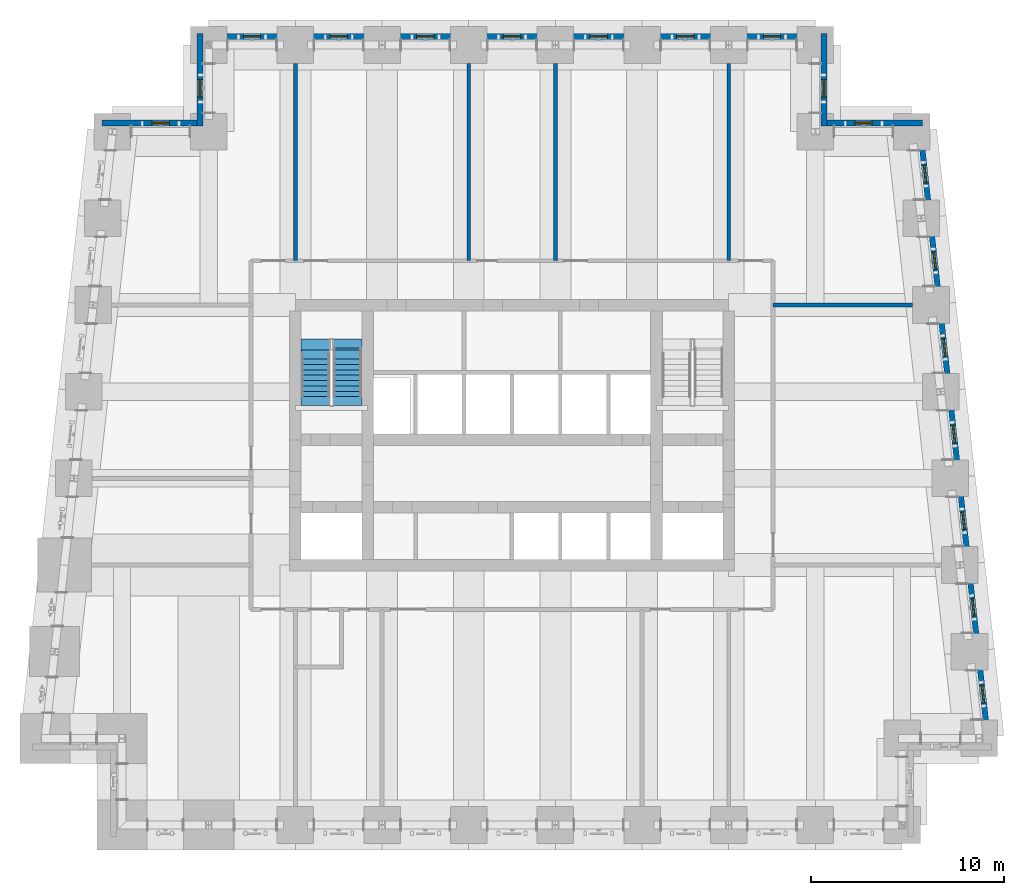
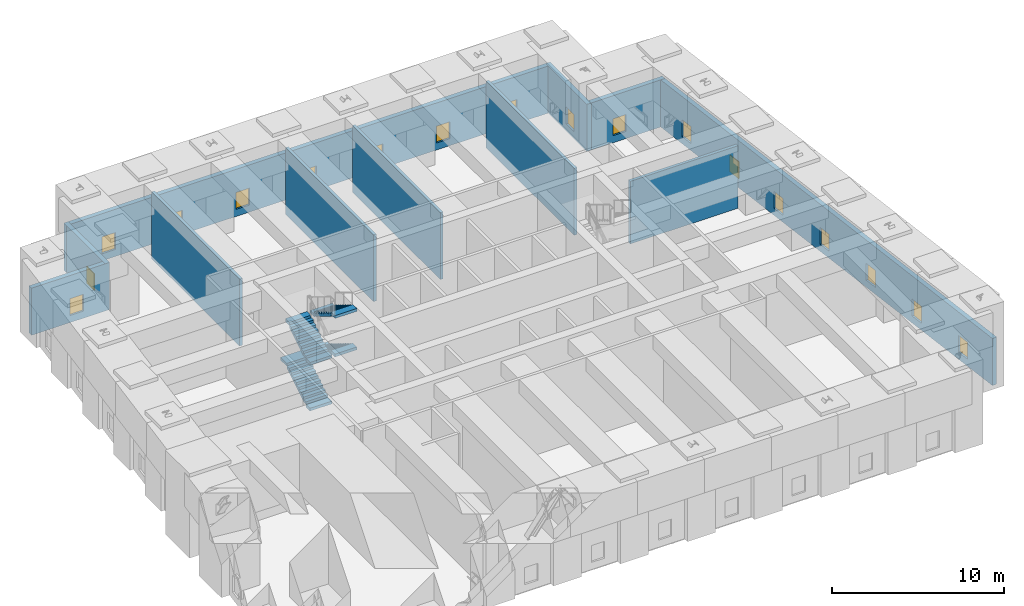
# One storey, part 5 of 17: 18 windows, 11 walls, 4 stair flights, 18 openings, 1 element without a shape of its own.
"""IFC4 building model written with IfcOpenShell, lengths in metres."""

from ifc_helpers import new_model, si_unit, direction, frame, frame_2d, origin, place, context, subcontext, project, spatial, polyline, rectangle, outline, extrude, material, layer, layer_set, type_object, element, fill, aggregate, save


model = new_model("IFC4")

# Units and contexts
model_context = context("Model", 3, precision=1e-05, world=origin(), true_north=direction((0.0, 1.0)))
body_context = subcontext(model_context, "Body", "Model", "MODEL_VIEW")
ifc_project = project(units=[si_unit("LENGTHUNIT", "METRE"), si_unit("AREAUNIT", "SQUARE_METRE"), si_unit("VOLUMEUNIT", "CUBIC_METRE"), si_unit("PLANEANGLEUNIT", "RADIAN"), si_unit("MASSUNIT", "GRAM", prefix="KILO")], contexts=[model_context])

# Site, building, storey
site_placement = place(None, origin())
site = spatial("IfcSite", under=ifc_project, at=site_placement, CompositionType="ELEMENT")
building_placement = place(site_placement, origin())
building = spatial("IfcBuilding", under=site, at=building_placement, Name="Kilele Tower Hotel", CompositionType="ELEMENT")
storey_placement = place(building_placement, frame((0.0, 0.0, 151.89990234375)))
storey = spatial("IfcBuildingStorey", under=building, at=storey_placement, Name="L39", CompositionType="ELEMENT", Elevation=151.89990234375)

# Walls
ifc_material_1 = material(Name="Blockwork, plastered both sides", Category="masonry")
ifc_layer_1 = layer(ifc_material_1, 0.199951171875)
ifc_layer_set_1 = layer_set([ifc_layer_1], Name="Blockwork, plastered both sides")
wall_type_1 = type_object("IfcWallType", Name="Partition wall 200", PredefinedType="PARTITIONING", material=ifc_layer_set_1)
wall_1_placement = place(storey_placement, frame((38.300048828125, 27.0, 0.0), z_axis=(0.0, 0.0, 1.0), x_axis=(1.0, 0.0, 0.0)))
element("IfcWall", 1, at=wall_1_placement, inside=storey, type_object=wall_type_1, Name="Partition wall 200 L39", PredefinedType="PARTITIONING", context=body_context, shape_type="SweptSolid", body=[
    extrude(rectangle(XDim=7.239013671875, YDim=0.199951171875, at=frame_2d((3.61962890625, 0.0))), origin(), (0.0, 0.0, 1.0), 4.4501953125),
])
for number, where, z_axis, x_axis, name in (
    (2, (13.5, 29.300048828125, 0.0), (0.0, 0.0, 1.0), (0.0, 1.0, 0.0), "Partition wall 200 L39"),
    (3, (22.5, 29.300048828125, 0.0), (0.0, 0.0, 1.0), (0.0, 1.0, 0.0), "Partition wall 200 L39"),
    (4, (27.0, 29.300048828125, 0.0), (0.0, 0.0, 1.0), (0.0, 1.0, 0.0), "Partition wall 200 L39"),
    (5, (36.0, 29.300048828125, 0.0), (0.0, 0.0, 1.0), (0.0, 1.0, 0.0), "Partition wall 200 L39"),
):
    element("IfcWall", number, at=place(storey_placement, frame(where, z_axis=z_axis, x_axis=x_axis)), inside=storey, type_object=wall_type_1, Name=name, PredefinedType="PARTITIONING", context=body_context, shape_type="SweptSolid", body=[
        extrude(rectangle(XDim=10.25, YDim=0.199951171875, at=frame_2d((5.125, 0.0))), origin(), (0.0, 0.0, 1.0), 4.75),
    ])

# Wall, openings, windows
ifc_material_2 = material(Name="Concrete C40/50 precast", Category="concrete")
ifc_layer_2 = layer(ifc_material_2, 0.260009765625, Name="Precast backing", Category="LoadBearing")
ifc_material_3 = material(Name="Reconstituted stone finish", Category="masonry")
ifc_layer_3 = layer(ifc_material_3, 0.0400390625, Name="Face mix", Category="Finish")
ifc_layer_set_2 = layer_set([ifc_layer_2, ifc_layer_3], Name="Precast concrete C40/50, reconstituted stone finish")
wall_type_2 = type_object("IfcWallType", Name="Precast stone facade wall 300", PredefinedType="STANDARD", material=ifc_layer_set_2)
wall_2_placement = place(storey_placement, frame((49.519287109375, 3.90087890625, 0.0), z_axis=(0.0, 0.0, 1.0), x_axis=(-0.110429082637, 0.993884006164, 0.0)))
wall_2 = element("IfcWall", 6, at=wall_2_placement, inside=storey, type_object=wall_type_2, Name="Facade wall L39 edge 6", PredefinedType="STANDARD", context=body_context, shape_type="SweptSolid", body=[
    extrude(rectangle(XDim=32.8994140625, YDim=0.300048828125, at=frame_2d((16.44970703125, 0.0))), origin(), (0.0, 0.0, 1.0), 3.35009765625),
])
opening_1_placement = place(wall_2_placement, frame((2.466796875, 0.0, 0.5)))
opening_1 = element("IfcOpeningElement", 7, at=opening_1_placement, cuts=wall_2, Name="Opening LV1", PredefinedType="OPENING", context=body_context, shape_type="SweptSolid", body=[
    extrude(rectangle(XDim=0.89990234375, YDim=1.199951171875, at=frame_2d((0.449951171875, 0.60009765625))), frame((0.0, 0.159912109375, 0.0), z_axis=(0.0, -1.0, 0.0), x_axis=(1.0, 0.0, 0.0)), (0.0, 0.0, 1.0), 0.320068359375),
])
opening_2_placement = place(wall_2_placement, frame((6.994873046875, 0.0, 0.5)))
opening_2 = element("IfcOpeningElement", 8, at=opening_2_placement, cuts=wall_2, Name="Opening LV1", PredefinedType="OPENING", context=body_context, shape_type="SweptSolid", body=[
    extrude(rectangle(XDim=0.89990234375, YDim=1.199951171875, at=frame_2d((0.449951171875, 0.60009765625))), frame((0.0, 0.159912109375, 0.0), z_axis=(0.0, -1.0, 0.0), x_axis=(1.0, 0.0, 0.0)), (0.0, 0.0, 1.0), 0.320068359375),
])
opening_3_placement = place(wall_2_placement, frame((11.521728515625, 0.0, 0.5)))
opening_3 = element("IfcOpeningElement", 9, at=opening_3_placement, cuts=wall_2, Name="Opening LV1", PredefinedType="OPENING", context=body_context, shape_type="SweptSolid", body=[
    extrude(rectangle(XDim=0.89990234375, YDim=1.199951171875, at=frame_2d((0.449951171875, 0.60009765625))), frame((0.0, 0.159912109375, 0.0), z_axis=(0.0, -1.0, 0.0), x_axis=(1.0, 0.0, 0.0)), (0.0, 0.0, 1.0), 0.320068359375),
])
opening_4_placement = place(wall_2_placement, frame((16.0498046875, 0.0, 0.5)))
opening_4 = element("IfcOpeningElement", 10, at=opening_4_placement, cuts=wall_2, Name="Opening LV1", PredefinedType="OPENING", context=body_context, shape_type="SweptSolid", body=[
    extrude(rectangle(XDim=0.89990234375, YDim=1.199951171875, at=frame_2d((0.449951171875, 0.60009765625))), frame((0.0, 0.159912109375, 0.0), z_axis=(0.0, -1.0, 0.0), x_axis=(1.0, 0.0, 0.0)), (0.0, 0.0, 1.0), 0.320068359375),
])
opening_5_placement = place(wall_2_placement, frame((20.577880859375, 0.0, 0.5)))
opening_5 = element("IfcOpeningElement", 11, at=opening_5_placement, cuts=wall_2, Name="Opening LV1", PredefinedType="OPENING", context=body_context, shape_type="SweptSolid", body=[
    extrude(rectangle(XDim=0.89990234375, YDim=1.199951171875, at=frame_2d((0.449951171875, 0.60009765625))), frame((0.0, 0.159912109375, 0.0), z_axis=(0.0, -1.0, 0.0), x_axis=(1.0, 0.0, 0.0)), (0.0, 0.0, 1.0), 0.320068359375),
])
opening_6_placement = place(wall_2_placement, frame((25.104736328125, 0.0, 0.5)))
opening_6 = element("IfcOpeningElement", 12, at=opening_6_placement, cuts=wall_2, Name="Opening LV1", PredefinedType="OPENING", context=body_context, shape_type="SweptSolid", body=[
    extrude(rectangle(XDim=0.89990234375, YDim=1.199951171875, at=frame_2d((0.449951171875, 0.60009765625))), frame((0.0, 0.159912109375, 0.0), z_axis=(0.0, -1.0, 0.0), x_axis=(1.0, 0.0, 0.0)), (0.0, 0.0, 1.0), 0.320068359375),
])
opening_7_placement = place(wall_2_placement, frame((29.6328125, 0.0, 0.5)))
opening_7 = element("IfcOpeningElement", 13, at=opening_7_placement, cuts=wall_2, Name="Opening LV1", PredefinedType="OPENING", context=body_context, shape_type="SweptSolid", body=[
    extrude(rectangle(XDim=0.89990234375, YDim=1.199951171875, at=frame_2d((0.449951171875, 0.60009765625))), frame((0.0, 0.159912109375, 0.0), z_axis=(0.0, -1.0, 0.0), x_axis=(1.0, 0.0, 0.0)), (0.0, 0.0, 1.0), 0.320068359375),
])
ifc_material_4 = material(Name="Aluminium weather louvre with insect mesh", Category="aluminium")
window_type = type_object("IfcWindowType", Name="Ventilation louvre 900 x 1200", PartitioningType="SINGLE_PANEL", PredefinedType="USERDEFINED", material=ifc_material_4)
window_1_placement = place(opening_1_placement, origin())
window_1 = element("IfcWindow", 14, at=window_1_placement, inside=storey, type_object=window_type, Name="Louvre L39", ObjectType="LOUVRE", OverallHeight=1.199951171875, OverallWidth=0.89990234375, PartitioningType="SINGLE_PANEL", PredefinedType="USERDEFINED", context=body_context, shape_type="SweptSolid", body=[
    extrude(rectangle(XDim=0.89990234375, YDim=1.199951171875, at=frame_2d((0.449951171875, 0.60009765625))), frame((0.0, 0.030029296875, 0.0), z_axis=(0.0, -1.0, 0.0), x_axis=(1.0, 0.0, 0.0)), (0.0, 0.0, 1.0), 0.06005859375),
])
fill(opening_1, window_1)
window_2_placement = place(opening_2_placement, origin())
window_2 = element("IfcWindow", 15, at=window_2_placement, inside=storey, type_object=window_type, Name="Louvre L39", ObjectType="LOUVRE", OverallHeight=1.199951171875, OverallWidth=0.89990234375, PartitioningType="SINGLE_PANEL", PredefinedType="USERDEFINED", context=body_context, shape_type="SweptSolid", body=[
    extrude(rectangle(XDim=0.89990234375, YDim=1.199951171875, at=frame_2d((0.449951171875, 0.60009765625))), frame((0.0, 0.030029296875, 0.0), z_axis=(0.0, -1.0, 0.0), x_axis=(1.0, 0.0, 0.0)), (0.0, 0.0, 1.0), 0.06005859375),
])
fill(opening_2, window_2)
window_3_placement = place(opening_3_placement, origin())
window_3 = element("IfcWindow", 16, at=window_3_placement, inside=storey, type_object=window_type, Name="Louvre L39", ObjectType="LOUVRE", OverallHeight=1.199951171875, OverallWidth=0.89990234375, PartitioningType="SINGLE_PANEL", PredefinedType="USERDEFINED", context=body_context, shape_type="SweptSolid", body=[
    extrude(rectangle(XDim=0.89990234375, YDim=1.199951171875, at=frame_2d((0.449951171875, 0.60009765625))), frame((0.0, 0.030029296875, 0.0), z_axis=(0.0, -1.0, 0.0), x_axis=(1.0, 0.0, 0.0)), (0.0, 0.0, 1.0), 0.06005859375),
])
fill(opening_3, window_3)
window_4_placement = place(opening_4_placement, origin())
window_4 = element("IfcWindow", 17, at=window_4_placement, inside=storey, type_object=window_type, Name="Louvre L39", ObjectType="LOUVRE", OverallHeight=1.199951171875, OverallWidth=0.89990234375, PartitioningType="SINGLE_PANEL", PredefinedType="USERDEFINED", context=body_context, shape_type="SweptSolid", body=[
    extrude(rectangle(XDim=0.89990234375, YDim=1.199951171875, at=frame_2d((0.449951171875, 0.60009765625))), frame((0.0, 0.030029296875, 0.0), z_axis=(0.0, -1.0, 0.0), x_axis=(1.0, 0.0, 0.0)), (0.0, 0.0, 1.0), 0.06005859375),
])
fill(opening_4, window_4)
window_5_placement = place(opening_5_placement, origin())
window_5 = element("IfcWindow", 18, at=window_5_placement, inside=storey, type_object=window_type, Name="Louvre L39", ObjectType="LOUVRE", OverallHeight=1.199951171875, OverallWidth=0.89990234375, PartitioningType="SINGLE_PANEL", PredefinedType="USERDEFINED", context=body_context, shape_type="SweptSolid", body=[
    extrude(rectangle(XDim=0.89990234375, YDim=1.199951171875, at=frame_2d((0.449951171875, 0.60009765625))), frame((0.0, 0.030029296875, 0.0), z_axis=(0.0, -1.0, 0.0), x_axis=(1.0, 0.0, 0.0)), (0.0, 0.0, 1.0), 0.06005859375),
])
fill(opening_5, window_5)
window_6_placement = place(opening_6_placement, origin())
window_6 = element("IfcWindow", 19, at=window_6_placement, inside=storey, type_object=window_type, Name="Louvre L39", ObjectType="LOUVRE", OverallHeight=1.199951171875, OverallWidth=0.89990234375, PartitioningType="SINGLE_PANEL", PredefinedType="USERDEFINED", context=body_context, shape_type="SweptSolid", body=[
    extrude(rectangle(XDim=0.89990234375, YDim=1.199951171875, at=frame_2d((0.449951171875, 0.60009765625))), frame((0.0, 0.030029296875, 0.0), z_axis=(0.0, -1.0, 0.0), x_axis=(1.0, 0.0, 0.0)), (0.0, 0.0, 1.0), 0.06005859375),
])
fill(opening_6, window_6)
window_7_placement = place(opening_7_placement, origin())
window_7 = element("IfcWindow", 20, at=window_7_placement, inside=storey, type_object=window_type, Name="Louvre L39", ObjectType="LOUVRE", OverallHeight=1.199951171875, OverallWidth=0.89990234375, PartitioningType="SINGLE_PANEL", PredefinedType="USERDEFINED", context=body_context, shape_type="SweptSolid", body=[
    extrude(rectangle(XDim=0.89990234375, YDim=1.199951171875, at=frame_2d((0.449951171875, 0.60009765625))), frame((0.0, 0.030029296875, 0.0), z_axis=(0.0, -1.0, 0.0), x_axis=(1.0, 0.0, 0.0)), (0.0, 0.0, 1.0), 0.06005859375),
])
fill(opening_7, window_7)

# Wall, opening, window
wall_3_placement = place(storey_placement, frame((46.052734375, 36.449951171875, 0.0), z_axis=(0.0, 0.0, 1.0), x_axis=(-1.0, 0.0, 0.0)))
wall_3 = element("IfcWall", 21, at=wall_3_placement, inside=storey, type_object=wall_type_2, Name="Facade wall L39 edge 7", PredefinedType="STANDARD", context=body_context, shape_type="SweptSolid", body=[
    extrude(rectangle(XDim=5.252685546875, YDim=0.300048828125, at=frame_2d((2.62646484375, 0.0))), origin(), (0.0, 0.0, 1.0), 3.35009765625),
])
opening_8_placement = place(wall_3_placement, frame((2.602783203125, 0.0, 0.5)))
opening_8 = element("IfcOpeningElement", 22, at=opening_8_placement, cuts=wall_3, Name="Opening LV1", PredefinedType="OPENING", context=body_context, shape_type="SweptSolid", body=[
    extrude(rectangle(XDim=0.89990234375, YDim=1.199951171875, at=frame_2d((0.449951171875, 0.60009765625))), frame((0.0, 0.159912109375, 0.0), z_axis=(0.0, -1.0, 0.0), x_axis=(1.0, 0.0, 0.0)), (0.0, 0.0, 1.0), 0.320068359375),
])
window_8_placement = place(opening_8_placement, origin())
window_8 = element("IfcWindow", 23, at=window_8_placement, inside=storey, type_object=window_type, Name="Louvre L39", ObjectType="LOUVRE", OverallHeight=1.199951171875, OverallWidth=0.89990234375, PartitioningType="SINGLE_PANEL", PredefinedType="USERDEFINED", context=body_context, shape_type="SweptSolid", body=[
    extrude(rectangle(XDim=0.89990234375, YDim=1.199951171875, at=frame_2d((0.449951171875, 0.60009765625))), frame((0.0, 0.030029296875, 0.0), z_axis=(0.0, -1.0, 0.0), x_axis=(1.0, 0.0, 0.0)), (0.0, 0.0, 1.0), 0.06005859375),
])
fill(opening_8, window_8)

wall_4_placement = place(storey_placement, frame((40.949951171875, 36.300048828125, 0.0), z_axis=(0.0, 0.0, 1.0), x_axis=(0.0, 1.0, 0.0)))
wall_4 = element("IfcWall", 24, at=wall_4_placement, inside=storey, type_object=wall_type_2, Name="Facade wall L39 edge 8", PredefinedType="STANDARD", context=body_context, shape_type="SweptSolid", body=[
    extrude(rectangle(XDim=4.800048828125, YDim=0.300048828125, at=frame_2d((2.39990234375, 0.0))), origin(), (0.0, 0.0, 1.0), 3.35009765625),
])
opening_9_placement = place(wall_4_placement, frame((1.5, 0.0, 0.5)))
opening_9 = element("IfcOpeningElement", 25, at=opening_9_placement, cuts=wall_4, Name="Opening LV1", PredefinedType="OPENING", context=body_context, shape_type="SweptSolid", body=[
    extrude(rectangle(XDim=0.89990234375, YDim=1.199951171875, at=frame_2d((0.449951171875, 0.60009765625))), frame((0.0, 0.159912109375, 0.0), z_axis=(0.0, -1.0, 0.0), x_axis=(1.0, 0.0, 0.0)), (0.0, 0.0, 1.0), 0.320068359375),
])
window_9_placement = place(opening_9_placement, origin())
window_9 = element("IfcWindow", 26, at=window_9_placement, inside=storey, type_object=window_type, Name="Louvre L39", ObjectType="LOUVRE", OverallHeight=1.199951171875, OverallWidth=0.89990234375, PartitioningType="SINGLE_PANEL", PredefinedType="USERDEFINED", context=body_context, shape_type="SweptSolid", body=[
    extrude(rectangle(XDim=0.89990234375, YDim=1.199951171875, at=frame_2d((0.449951171875, 0.60009765625))), frame((0.0, 0.030029296875, 0.0), z_axis=(0.0, -1.0, 0.0), x_axis=(1.0, 0.0, 0.0)), (0.0, 0.0, 1.0), 0.06005859375),
])
fill(opening_9, window_9)

# Wall, openings, windows
wall_5_placement = place(storey_placement, frame((41.10009765625, 40.949951171875, 0.0), z_axis=(0.0, 0.0, 1.0), x_axis=(-1.0, 0.0, 0.0)))
wall_5 = element("IfcWall", 27, at=wall_5_placement, inside=storey, type_object=wall_type_2, Name="Facade wall L39 edge 9", PredefinedType="STANDARD", context=body_context, shape_type="SweptSolid", body=[
    extrude(rectangle(XDim=32.7001953125, YDim=0.300048828125, at=frame_2d((16.35009765625, 0.0))), origin(), (0.0, 0.0, 1.0), 3.35009765625),
])
opening_10_placement = place(wall_5_placement, frame((2.39990234375, 0.0, 0.5)))
opening_10 = element("IfcOpeningElement", 28, at=opening_10_placement, cuts=wall_5, Name="Opening LV1", PredefinedType="OPENING", context=body_context, shape_type="SweptSolid", body=[
    extrude(rectangle(XDim=0.89990234375, YDim=1.199951171875, at=frame_2d((0.449951171875, 0.60009765625))), frame((0.0, 0.159912109375, 0.0), z_axis=(0.0, -1.0, 0.0), x_axis=(1.0, 0.0, 0.0)), (0.0, 0.0, 1.0), 0.320068359375),
])
opening_11_placement = place(wall_5_placement, frame((6.89990234375, 0.0, 0.5)))
opening_11 = element("IfcOpeningElement", 29, at=opening_11_placement, cuts=wall_5, Name="Opening LV1", PredefinedType="OPENING", context=body_context, shape_type="SweptSolid", body=[
    extrude(rectangle(XDim=0.89990234375, YDim=1.199951171875, at=frame_2d((0.449951171875, 0.60009765625))), frame((0.0, 0.159912109375, 0.0), z_axis=(0.0, -1.0, 0.0), x_axis=(1.0, 0.0, 0.0)), (0.0, 0.0, 1.0), 0.320068359375),
])
opening_12_placement = place(wall_5_placement, frame((11.39990234375, 0.0, 0.5)))
opening_12 = element("IfcOpeningElement", 30, at=opening_12_placement, cuts=wall_5, Name="Opening LV1", PredefinedType="OPENING", context=body_context, shape_type="SweptSolid", body=[
    extrude(rectangle(XDim=0.89990234375, YDim=1.199951171875, at=frame_2d((0.449951171875, 0.60009765625))), frame((0.0, 0.159912109375, 0.0), z_axis=(0.0, -1.0, 0.0), x_axis=(1.0, 0.0, 0.0)), (0.0, 0.0, 1.0), 0.320068359375),
])
opening_13_placement = place(wall_5_placement, frame((15.89990234375, 0.0, 0.5)))
opening_13 = element("IfcOpeningElement", 31, at=opening_13_placement, cuts=wall_5, Name="Opening LV1", PredefinedType="OPENING", context=body_context, shape_type="SweptSolid", body=[
    extrude(rectangle(XDim=0.89990234375, YDim=1.199951171875, at=frame_2d((0.449951171875, 0.60009765625))), frame((0.0, 0.159912109375, 0.0), z_axis=(0.0, -1.0, 0.0), x_axis=(1.0, 0.0, 0.0)), (0.0, 0.0, 1.0), 0.320068359375),
])
opening_14_placement = place(wall_5_placement, frame((20.39990234375, 0.0, 0.5)))
opening_14 = element("IfcOpeningElement", 32, at=opening_14_placement, cuts=wall_5, Name="Opening LV1", PredefinedType="OPENING", context=body_context, shape_type="SweptSolid", body=[
    extrude(rectangle(XDim=0.89990234375, YDim=1.199951171875, at=frame_2d((0.449951171875, 0.60009765625))), frame((0.0, 0.159912109375, 0.0), z_axis=(0.0, -1.0, 0.0), x_axis=(1.0, 0.0, 0.0)), (0.0, 0.0, 1.0), 0.320068359375),
])
opening_15_placement = place(wall_5_placement, frame((24.89990234375, 0.0, 0.5)))
opening_15 = element("IfcOpeningElement", 33, at=opening_15_placement, cuts=wall_5, Name="Opening LV1", PredefinedType="OPENING", context=body_context, shape_type="SweptSolid", body=[
    extrude(rectangle(XDim=0.89990234375, YDim=1.199951171875, at=frame_2d((0.449951171875, 0.60009765625))), frame((0.0, 0.159912109375, 0.0), z_axis=(0.0, -1.0, 0.0), x_axis=(1.0, 0.0, 0.0)), (0.0, 0.0, 1.0), 0.320068359375),
])
opening_16_placement = place(wall_5_placement, frame((29.39990234375, 0.0, 0.5)))
opening_16 = element("IfcOpeningElement", 34, at=opening_16_placement, cuts=wall_5, Name="Opening LV1", PredefinedType="OPENING", context=body_context, shape_type="SweptSolid", body=[
    extrude(rectangle(XDim=0.89990234375, YDim=1.199951171875, at=frame_2d((0.449951171875, 0.60009765625))), frame((0.0, 0.159912109375, 0.0), z_axis=(0.0, -1.0, 0.0), x_axis=(1.0, 0.0, 0.0)), (0.0, 0.0, 1.0), 0.320068359375),
])
window_10_placement = place(opening_10_placement, origin())
window_10 = element("IfcWindow", 35, at=window_10_placement, inside=storey, type_object=window_type, Name="Louvre L39", ObjectType="LOUVRE", OverallHeight=1.199951171875, OverallWidth=0.89990234375, PartitioningType="SINGLE_PANEL", PredefinedType="USERDEFINED", context=body_context, shape_type="SweptSolid", body=[
    extrude(rectangle(XDim=0.89990234375, YDim=1.199951171875, at=frame_2d((0.449951171875, 0.60009765625))), frame((0.0, 0.030029296875, 0.0), z_axis=(0.0, -1.0, 0.0), x_axis=(1.0, 0.0, 0.0)), (0.0, 0.0, 1.0), 0.06005859375),
])
fill(opening_10, window_10)
window_11_placement = place(opening_11_placement, origin())
window_11 = element("IfcWindow", 36, at=window_11_placement, inside=storey, type_object=window_type, Name="Louvre L39", ObjectType="LOUVRE", OverallHeight=1.199951171875, OverallWidth=0.89990234375, PartitioningType="SINGLE_PANEL", PredefinedType="USERDEFINED", context=body_context, shape_type="SweptSolid", body=[
    extrude(rectangle(XDim=0.89990234375, YDim=1.199951171875, at=frame_2d((0.449951171875, 0.60009765625))), frame((0.0, 0.030029296875, 0.0), z_axis=(0.0, -1.0, 0.0), x_axis=(1.0, 0.0, 0.0)), (0.0, 0.0, 1.0), 0.06005859375),
])
fill(opening_11, window_11)
window_12_placement = place(opening_12_placement, origin())
window_12 = element("IfcWindow", 37, at=window_12_placement, inside=storey, type_object=window_type, Name="Louvre L39", ObjectType="LOUVRE", OverallHeight=1.199951171875, OverallWidth=0.89990234375, PartitioningType="SINGLE_PANEL", PredefinedType="USERDEFINED", context=body_context, shape_type="SweptSolid", body=[
    extrude(rectangle(XDim=0.89990234375, YDim=1.199951171875, at=frame_2d((0.449951171875, 0.60009765625))), frame((0.0, 0.030029296875, 0.0), z_axis=(0.0, -1.0, 0.0), x_axis=(1.0, 0.0, 0.0)), (0.0, 0.0, 1.0), 0.06005859375),
])
fill(opening_12, window_12)
window_13_placement = place(opening_13_placement, origin())
window_13 = element("IfcWindow", 38, at=window_13_placement, inside=storey, type_object=window_type, Name="Louvre L39", ObjectType="LOUVRE", OverallHeight=1.199951171875, OverallWidth=0.89990234375, PartitioningType="SINGLE_PANEL", PredefinedType="USERDEFINED", context=body_context, shape_type="SweptSolid", body=[
    extrude(rectangle(XDim=0.89990234375, YDim=1.199951171875, at=frame_2d((0.449951171875, 0.60009765625))), frame((0.0, 0.030029296875, 0.0), z_axis=(0.0, -1.0, 0.0), x_axis=(1.0, 0.0, 0.0)), (0.0, 0.0, 1.0), 0.06005859375),
])
fill(opening_13, window_13)
window_14_placement = place(opening_14_placement, origin())
window_14 = element("IfcWindow", 39, at=window_14_placement, inside=storey, type_object=window_type, Name="Louvre L39", ObjectType="LOUVRE", OverallHeight=1.199951171875, OverallWidth=0.89990234375, PartitioningType="SINGLE_PANEL", PredefinedType="USERDEFINED", context=body_context, shape_type="SweptSolid", body=[
    extrude(rectangle(XDim=0.89990234375, YDim=1.199951171875, at=frame_2d((0.449951171875, 0.60009765625))), frame((0.0, 0.030029296875, 0.0), z_axis=(0.0, -1.0, 0.0), x_axis=(1.0, 0.0, 0.0)), (0.0, 0.0, 1.0), 0.06005859375),
])
fill(opening_14, window_14)
window_15_placement = place(opening_15_placement, origin())
window_15 = element("IfcWindow", 40, at=window_15_placement, inside=storey, type_object=window_type, Name="Louvre L39", ObjectType="LOUVRE", OverallHeight=1.199951171875, OverallWidth=0.89990234375, PartitioningType="SINGLE_PANEL", PredefinedType="USERDEFINED", context=body_context, shape_type="SweptSolid", body=[
    extrude(rectangle(XDim=0.89990234375, YDim=1.199951171875, at=frame_2d((0.449951171875, 0.60009765625))), frame((0.0, 0.030029296875, 0.0), z_axis=(0.0, -1.0, 0.0), x_axis=(1.0, 0.0, 0.0)), (0.0, 0.0, 1.0), 0.06005859375),
])
fill(opening_15, window_15)
window_16_placement = place(opening_16_placement, origin())
window_16 = element("IfcWindow", 41, at=window_16_placement, inside=storey, type_object=window_type, Name="Louvre L39", ObjectType="LOUVRE", OverallHeight=1.199951171875, OverallWidth=0.89990234375, PartitioningType="SINGLE_PANEL", PredefinedType="USERDEFINED", context=body_context, shape_type="SweptSolid", body=[
    extrude(rectangle(XDim=0.89990234375, YDim=1.199951171875, at=frame_2d((0.449951171875, 0.60009765625))), frame((0.0, 0.030029296875, 0.0), z_axis=(0.0, -1.0, 0.0), x_axis=(1.0, 0.0, 0.0)), (0.0, 0.0, 1.0), 0.06005859375),
])
fill(opening_16, window_16)

# Wall, opening, window
wall_6_placement = place(storey_placement, frame((8.550048828125, 41.10009765625, 0.0), z_axis=(0.0, 0.0, 1.0), x_axis=(0.0, -1.0, 0.0)))
wall_6 = element("IfcWall", 42, at=wall_6_placement, inside=storey, type_object=wall_type_2, Name="Facade wall L39 edge 10", PredefinedType="STANDARD", context=body_context, shape_type="SweptSolid", body=[
    extrude(rectangle(XDim=4.800048828125, YDim=0.300048828125, at=frame_2d((2.39990234375, 0.0))), origin(), (0.0, 0.0, 1.0), 3.35009765625),
])
opening_17_placement = place(wall_6_placement, frame((2.39990234375, 0.0, 0.5)))
opening_17 = element("IfcOpeningElement", 43, at=opening_17_placement, cuts=wall_6, Name="Opening LV1", PredefinedType="OPENING", context=body_context, shape_type="SweptSolid", body=[
    extrude(rectangle(XDim=0.89990234375, YDim=1.199951171875, at=frame_2d((0.449951171875, 0.60009765625))), frame((0.0, 0.159912109375, 0.0), z_axis=(0.0, -1.0, 0.0), x_axis=(1.0, 0.0, 0.0)), (0.0, 0.0, 1.0), 0.320068359375),
])
window_17_placement = place(opening_17_placement, origin())
window_17 = element("IfcWindow", 44, at=window_17_placement, inside=storey, type_object=window_type, Name="Louvre L39", ObjectType="LOUVRE", OverallHeight=1.199951171875, OverallWidth=0.89990234375, PartitioningType="SINGLE_PANEL", PredefinedType="USERDEFINED", context=body_context, shape_type="SweptSolid", body=[
    extrude(rectangle(XDim=0.89990234375, YDim=1.199951171875, at=frame_2d((0.449951171875, 0.60009765625))), frame((0.0, 0.030029296875, 0.0), z_axis=(0.0, -1.0, 0.0), x_axis=(1.0, 0.0, 0.0)), (0.0, 0.0, 1.0), 0.06005859375),
])
fill(opening_17, window_17)

wall_7_placement = place(storey_placement, frame((8.699951171875, 36.449951171875, 0.0), z_axis=(0.0, 0.0, 1.0), x_axis=(-1.0, 0.0, 0.0)))
wall_7 = element("IfcWall", 45, at=wall_7_placement, inside=storey, type_object=wall_type_2, Name="Facade wall L39 edge 11", PredefinedType="STANDARD", context=body_context, shape_type="SweptSolid", body=[
    extrude(rectangle(XDim=5.252685546875, YDim=0.300048828125, at=frame_2d((2.62646484375, 0.0))), origin(), (0.0, 0.0, 1.0), 3.35009765625),
])
opening_18_placement = place(wall_7_placement, frame((1.75, 0.0, 0.5)))
opening_18 = element("IfcOpeningElement", 46, at=opening_18_placement, cuts=wall_7, Name="Opening LV1", PredefinedType="OPENING", context=body_context, shape_type="SweptSolid", body=[
    extrude(rectangle(XDim=0.89990234375, YDim=1.199951171875, at=frame_2d((0.449951171875, 0.60009765625))), frame((0.0, 0.159912109375, 0.0), z_axis=(0.0, -1.0, 0.0), x_axis=(1.0, 0.0, 0.0)), (0.0, 0.0, 1.0), 0.320068359375),
])
window_18_placement = place(opening_18_placement, origin())
window_18 = element("IfcWindow", 47, at=window_18_placement, inside=storey, type_object=window_type, Name="Louvre L39", ObjectType="LOUVRE", OverallHeight=1.199951171875, OverallWidth=0.89990234375, PartitioningType="SINGLE_PANEL", PredefinedType="USERDEFINED", context=body_context, shape_type="SweptSolid", body=[
    extrude(rectangle(XDim=0.89990234375, YDim=1.199951171875, at=frame_2d((0.449951171875, 0.60009765625))), frame((0.0, 0.030029296875, 0.0), z_axis=(0.0, -1.0, 0.0), x_axis=(1.0, 0.0, 0.0)), (0.0, 0.0, 1.0), 0.06005859375),
])
fill(opening_18, window_18)

# Stair, stair flights
ifc_material_5 = material(Name="Precast concrete C40/50", Category="concrete")
stair_type = type_object("IfcStairType", Name="Stair 1475 x 6000", PredefinedType="HALF_TURN_STAIR", material=ifc_material_5)
stair_placement = place(storey_placement, origin())
stair = element("IfcStair", 48, at=stair_placement, inside=storey, type_object=stair_type, Name="Stair 1 L39", PredefinedType="HALF_TURN_STAIR")
ifc_material_6 = material(Name="Precast concrete C40/50", Category="concrete")
stair_flight_type = type_object("IfcStairFlightType", Name="Flight 1475 riser 171.4", PredefinedType="STRAIGHT", material=ifc_material_6)
stair_flight_1_placement = place(storey_placement, frame((14.53759765625, 22.239990234375, 0.0), z_axis=(0.0, 0.0, 1.0), x_axis=(0.0, 1.0, 0.0)))
stair_flight_1 = element("IfcStairFlight", 49, at=stair_flight_1_placement, type_object=stair_flight_type, Name="ST1 flight 1", NumberOfRisers=9, NumberOfTreads=8, PredefinedType="STRAIGHT", RiserHeight=0.171428571, TreadLength=0.28, context=body_context, shape_type="SweptSolid", body=[
    extrude(outline(polyline([(0.0, 0.0), (0.0, 0.17138671875), (0.280029296875, 0.17138671875), (0.280029296875, 0.3427734375), (0.56005859375, 0.3427734375), (0.56005859375, 0.514404296875), (0.840087890625, 0.514404296875), (0.840087890625, 0.685791015625), (1.1201171875, 0.685791015625), (1.1201171875, 0.857177734375), (1.39990234375, 0.857177734375), (1.39990234375, 1.028564453125), (1.679931640625, 1.028564453125), (1.679931640625, 1.199951171875), (1.9599609375, 1.199951171875), (1.9599609375, 1.371337890625), (2.239990234375, 1.371337890625), (2.239990234375, 1.54296875), (2.239990234375, 1.195556640625), (0.287109375, 0.0), (0.0, 0.0)])), frame((0.0, 0.737548828125, 0.0), z_axis=(0.0, -1.0, 0.0), x_axis=(1.0, 0.0, 0.0)), (0.0, 0.0, 1.0), 1.47509765625),
    extrude(outline(polyline([(-0.465087890625, 0.737548828125), (-0.465087890625, -0.7373046875), (0.0, -0.7373046875), (0.0, 0.737548828125), (-0.465087890625, 0.737548828125)])), frame((0.0, 0.0, -0.199951171875)), (0.0, 0.0, 1.0), 0.199951171875),
    extrude(outline(polyline([(2.239990234375, 0.737548828125), (2.239990234375, -0.7373046875), (2.985107421875, -0.7373046875), (2.985107421875, 0.737548828125), (2.239990234375, 0.737548828125)])), frame((0.0, 0.0, 1.343017578125)), (0.0, 0.0, 1.0), 0.199951171875),
])
stair_flight_2_placement = place(storey_placement, frame((16.21240234375, 24.760009765625, 1.54296875), z_axis=(0.0, 0.0, 1.0), x_axis=(0.0, -1.0, 0.0)))
stair_flight_2 = element("IfcStairFlight", 50, at=stair_flight_2_placement, type_object=stair_flight_type, Name="ST1 flight 2", NumberOfRisers=10, NumberOfTreads=9, PredefinedType="STRAIGHT", RiserHeight=0.171428571, TreadLength=0.28, context=body_context, shape_type="SweptSolid", body=[
    extrude(outline(polyline([(0.0, 0.0), (0.0, 0.17138671875), (0.280029296875, 0.17138671875), (0.280029296875, 0.3427734375), (0.56005859375, 0.3427734375), (0.56005859375, 0.514404296875), (0.840087890625, 0.514404296875), (0.840087890625, 0.685791015625), (1.1201171875, 0.685791015625), (1.1201171875, 0.857177734375), (1.39990234375, 0.857177734375), (1.39990234375, 1.028564453125), (1.679931640625, 1.028564453125), (1.679931640625, 1.199951171875), (1.9599609375, 1.199951171875), (1.9599609375, 1.371337890625), (2.239990234375, 1.371337890625), (2.239990234375, 1.54296875), (2.52001953125, 1.54296875), (2.52001953125, 1.71435546875), (2.52001953125, 1.3671875), (0.287109375, 0.0), (0.0, 0.0)])), frame((0.0, 0.737548828125, 0.0), z_axis=(0.0, -1.0, 0.0), x_axis=(1.0, 0.0, 0.0)), (0.0, 0.0, 1.0), 1.47509765625),
    extrude(outline(polyline([(0.0, -0.7373046875), (0.0, 0.737548828125), (-0.465087890625, 0.737548828125), (-0.465087890625, -0.7373046875), (0.0, -0.7373046875)])), frame((0.0, 0.0, -0.199951171875)), (0.0, 0.0, 1.0), 0.199951171875),
    extrude(outline(polyline([(2.985107421875, -0.7373046875), (2.985107421875, 0.737548828125), (2.52001953125, 0.737548828125), (2.52001953125, -0.7373046875), (2.985107421875, -0.7373046875)])), frame((0.0, 0.0, 1.51416015625)), (0.0, 0.0, 1.0), 0.199951171875),
])
stair_flight_3_placement = place(storey_placement, frame((14.53759765625, 22.239990234375, 3.25732421875), z_axis=(0.0, 0.0, 1.0), x_axis=(0.0, 1.0, 0.0)))
stair_flight_3 = element("IfcStairFlight", 51, at=stair_flight_3_placement, type_object=stair_flight_type, Name="ST1 flight 3", NumberOfRisers=8, NumberOfTreads=7, PredefinedType="STRAIGHT", RiserHeight=0.171428571, TreadLength=0.28, context=body_context, shape_type="SweptSolid", body=[
    extrude(outline(polyline([(0.0, 0.0), (0.0, 0.17138671875), (0.280029296875, 0.17138671875), (0.280029296875, 0.3427734375), (0.56005859375, 0.3427734375), (0.56005859375, 0.514404296875), (0.840087890625, 0.514404296875), (0.840087890625, 0.685791015625), (1.1201171875, 0.685791015625), (1.1201171875, 0.857177734375), (1.39990234375, 0.857177734375), (1.39990234375, 1.028564453125), (1.679931640625, 1.028564453125), (1.679931640625, 1.199951171875), (1.9599609375, 1.199951171875), (1.9599609375, 1.371337890625), (1.9599609375, 1.024169921875), (0.287109375, 0.0), (0.0, 0.0)])), frame((0.0, 0.737548828125, 0.0), z_axis=(0.0, -1.0, 0.0), x_axis=(1.0, 0.0, 0.0)), (0.0, 0.0, 1.0), 1.47509765625),
    extrude(outline(polyline([(-0.465087890625, 0.737548828125), (-0.465087890625, -0.7373046875), (0.0, -0.7373046875), (0.0, 0.737548828125), (-0.465087890625, 0.737548828125)])), frame((0.0, 0.0, -0.2001953125)), (0.0, 0.0, 1.0), 0.199951171875),
    extrude(outline(polyline([(1.9599609375, 0.737548828125), (1.9599609375, -0.7373046875), (2.425048828125, -0.7373046875), (2.425048828125, 0.737548828125), (1.9599609375, 0.737548828125)])), frame((0.0, 0.0, 1.17138671875)), (0.0, 0.0, 1.0), 0.199951171875),
])
stair_flight_4_placement = place(storey_placement, frame((16.21240234375, 24.199951171875, 4.628662109375), z_axis=(0.0, 0.0, 1.0), x_axis=(0.0, -1.0, 0.0)))
stair_flight_4 = element("IfcStairFlight", 52, at=stair_flight_4_placement, type_object=stair_flight_type, Name="ST1 flight 4", NumberOfRisers=8, NumberOfTreads=7, PredefinedType="STRAIGHT", RiserHeight=0.171428571, TreadLength=0.28, context=body_context, shape_type="SweptSolid", body=[
    extrude(outline(polyline([(0.0, 0.0), (0.0, 0.17138671875), (0.280029296875, 0.17138671875), (0.280029296875, 0.3427734375), (0.56005859375, 0.3427734375), (0.56005859375, 0.514404296875), (0.840087890625, 0.514404296875), (0.840087890625, 0.685791015625), (1.1201171875, 0.685791015625), (1.1201171875, 0.857177734375), (1.39990234375, 0.857177734375), (1.39990234375, 1.028564453125), (1.679931640625, 1.028564453125), (1.679931640625, 1.199951171875), (1.9599609375, 1.199951171875), (1.9599609375, 1.371337890625), (1.9599609375, 1.024169921875), (0.287109375, 0.0), (0.0, 0.0)])), frame((0.0, 0.737548828125, 0.0), z_axis=(0.0, -1.0, 0.0), x_axis=(1.0, 0.0, 0.0)), (0.0, 0.0, 1.0), 1.47509765625),
    extrude(outline(polyline([(0.0, -0.7373046875), (0.0, 0.737548828125), (-0.465087890625, 0.737548828125), (-0.465087890625, -0.7373046875), (0.0, -0.7373046875)])), frame((0.0, 0.0, -0.199951171875)), (0.0, 0.0, 1.0), 0.199951171875),
    extrude(outline(polyline([(2.425048828125, -0.7373046875), (2.425048828125, 0.737548828125), (1.9599609375, 0.737548828125), (1.9599609375, -0.7373046875), (2.425048828125, -0.7373046875)])), frame((0.0, 0.0, 1.17138671875)), (0.0, 0.0, 1.0), 0.199951171875),
])
aggregate(stair, [stair_flight_1, stair_flight_2, stair_flight_3, stair_flight_4])

save(model, "model.ifc")
